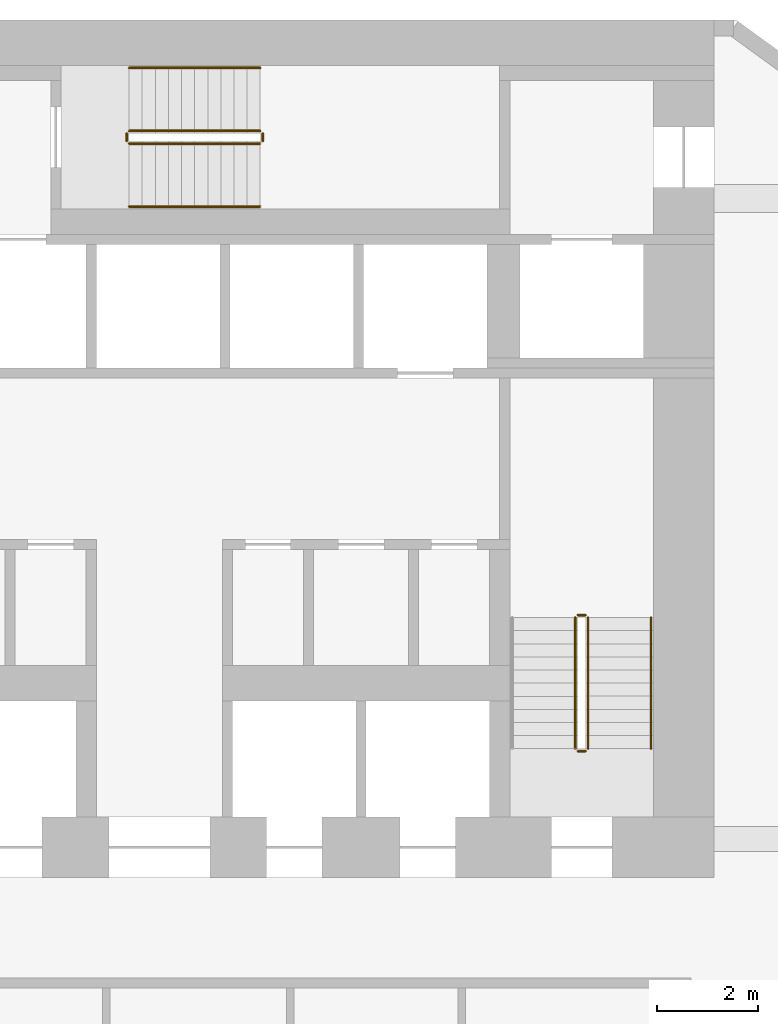
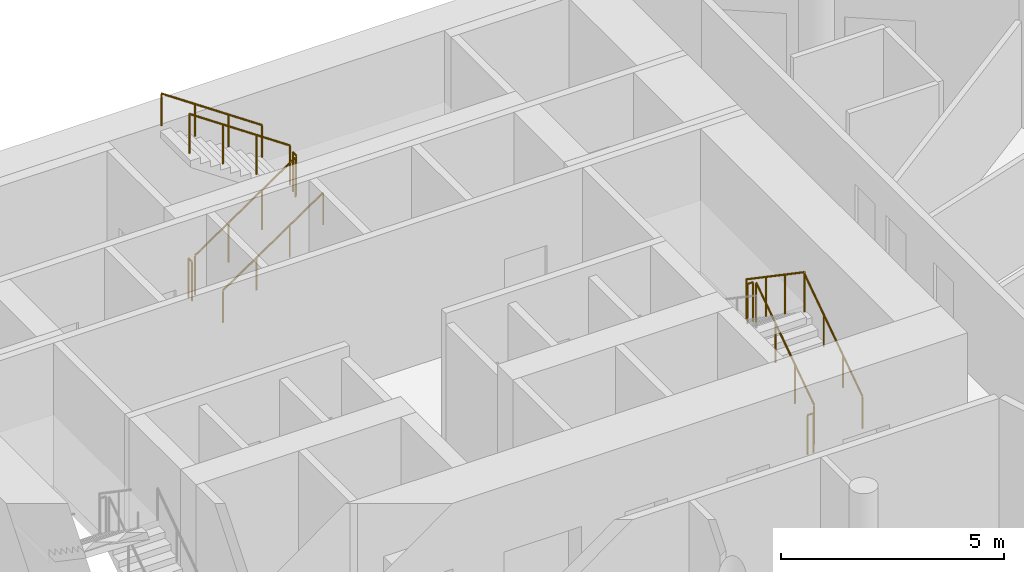
# One storey, part 9 of 9: 11 railings.
"""IFC4 building model written with IfcOpenShell, lengths in metres."""

from ifc_helpers import new_model, si_unit, direction, frame, origin, origin_2d, place, context, subcontext, project, spatial, circle, extrude, material, type_object, element, save


model = new_model("IFC4")

# Units and contexts
model_context = context("Model", 3, precision=1e-05, world=origin(), true_north=direction((0.0, 1.0)))
body_context = subcontext(model_context, "Body", "Model", "MODEL_VIEW")
ifc_project = project(units=[si_unit("LENGTHUNIT", "METRE"), si_unit("AREAUNIT", "SQUARE_METRE"), si_unit("VOLUMEUNIT", "CUBIC_METRE"), si_unit("PLANEANGLEUNIT", "RADIAN"), si_unit("MASSUNIT", "GRAM", prefix="KILO")], contexts=[model_context])

# Site, building, storey
site_placement = place(None, origin())
site = spatial("IfcSite", under=ifc_project, at=site_placement, CompositionType="ELEMENT")
building_placement = place(site_placement, origin())
building = spatial("IfcBuilding", under=site, at=building_placement, Name="White Candle Pilgrim Tower", CompositionType="ELEMENT")
storey_placement = place(building_placement, frame((0.0, 0.0, 81.89990234375)))
storey = spatial("IfcBuildingStorey", under=building, at=storey_placement, Name="L17", CompositionType="ELEMENT", Elevation=81.89990234375)

# Railings
ifc_material = material(Name="Stainless steel", Category="steel")
railing_type_1 = type_object("IfcRailingType", Name="Stair guard stainless steel 1100 mm", PredefinedType="GUARDRAIL", material=ifc_material)
railing_1_placement = place(storey_placement, frame((78.5, 73.550048828125, 0.177490234375)))
element("IfcRailing", 1, at=railing_1_placement, inside=storey, type_object=railing_type_1, Name="L17 ST2 stair guard 1", PredefinedType="GUARDRAIL", context=body_context, shape_type="SweptSolid", body=[
    extrude(circle(Radius=0.02392578125, at=origin_2d()), frame((0.0, 0.0, 1.076171875), z_axis=(0.0, 0.826215852431, 0.563353676824), x_axis=(-1.0, 0.0, 0.0)), (0.0, 0.0, 1.0), 3.146728515625),
    extrude(circle(Radius=0.02099609375, at=origin_2d()), origin(), (0.0, 0.0, 1.0), 1.052001953125),
    extrude(circle(Radius=0.02099609375, at=origin_2d()), frame((0.0, 0.86669921875, 0.5908203125)), (0.0, 0.0, 1.0), 1.052001953125),
    extrude(circle(Radius=0.02099609375, at=origin_2d()), frame((0.0, 1.733154296875, 1.181884765625)), (0.0, 0.0, 1.0), 1.052001953125),
    extrude(circle(Radius=0.02099609375, at=origin_2d()), frame((0.0, 2.599853515625, 1.772705078125)), (0.0, 0.0, 1.0), 1.052001953125),
])
railing_2_placement = place(storey_placement, frame((78.449951171875, 76.199951171875, 1.9501953125)))
element("IfcRailing", 2, at=railing_2_placement, inside=storey, type_object=railing_type_1, Name="L17 ST2 stair guard 2", PredefinedType="GUARDRAIL", context=body_context, shape_type="SweptSolid", body=[
    extrude(circle(Radius=0.02392578125, at=origin_2d()), frame((0.0, 0.0, 1.076171875), z_axis=(-1.0, 0.0, 0.0), x_axis=(0.0, -1.0, 0.0)), (0.0, 0.0, 1.0), 0.14990234375),
    extrude(circle(Radius=0.02099609375, at=origin_2d()), origin(), (0.0, 0.0, 1.0), 1.052001953125),
    extrude(circle(Radius=0.02099609375, at=origin_2d()), frame((-0.14990234375, 0.0, 0.0)), (0.0, 0.0, 1.0), 1.052001953125),
])
railing_3_placement = place(storey_placement, frame((78.25, 76.14990234375, 2.12744140625)))
element("IfcRailing", 3, at=railing_3_placement, inside=storey, type_object=railing_type_1, Name="L17 ST2 stair guard 3", PredefinedType="GUARDRAIL", context=body_context, shape_type="SweptSolid", body=[
    extrude(circle(Radius=0.02392578125, at=origin_2d()), frame((0.0, 0.0, 1.076171875), z_axis=(0.0, -0.826215852431, 0.563353676824), x_axis=(1.0, 0.0, 0.0)), (0.0, 0.0, 1.0), 3.146728515625),
    extrude(circle(Radius=0.02099609375, at=origin_2d()), origin(), (0.0, 0.0, 1.0), 1.052001953125),
    extrude(circle(Radius=0.02099609375, at=origin_2d()), frame((0.0, -0.86669921875, 0.5908203125)), (0.0, 0.0, 1.0), 1.052001953125),
    extrude(circle(Radius=0.02099609375, at=origin_2d()), frame((0.0, -1.733154296875, 1.181884765625)), (0.0, 0.0, 1.0), 1.052001953125),
    extrude(circle(Radius=0.02099609375, at=origin_2d()), frame((0.0, -2.599853515625, 1.772705078125)), (0.0, 0.0, 1.0), 1.052001953125),
])
railing_4_placement = place(storey_placement, frame((78.449951171875, 73.5, 0.0)))
element("IfcRailing", 4, at=railing_4_placement, inside=storey, type_object=railing_type_1, Name="L17 ST2 stair guard 4", PredefinedType="GUARDRAIL", context=body_context, shape_type="SweptSolid", body=[
    extrude(circle(Radius=0.02392578125, at=origin_2d()), frame((0.0, 0.0, 1.076171875), z_axis=(-1.0, 0.0, 0.0), x_axis=(0.0, -1.0, 0.0)), (0.0, 0.0, 1.0), 0.14990234375),
    extrude(circle(Radius=0.02099609375, at=origin_2d()), origin(), (0.0, 0.0, 1.0), 1.052001953125),
    extrude(circle(Radius=0.02099609375, at=origin_2d()), frame((-0.14990234375, 0.0, 0.0)), (0.0, 0.0, 1.0), 1.052001953125),
])
railing_5_placement = place(storey_placement, frame((69.39990234375, 85.550048828125, 0.177490234375)))
element("IfcRailing", 5, at=railing_5_placement, inside=storey, type_object=railing_type_1, Name="L17 ST3 stair guard 1", PredefinedType="GUARDRAIL", context=body_context, shape_type="SweptSolid", body=[
    extrude(circle(Radius=0.02392578125, at=origin_2d()), frame((0.0, 0.0, 1.076171875), z_axis=(0.826240473404, 0.0, 0.563317565952), x_axis=(0.0, 1.0, 0.0)), (0.0, 0.0, 1.0), 3.14697265625),
    extrude(circle(Radius=0.02099609375, at=origin_2d()), origin(), (0.0, 0.0, 1.0), 1.052001953125),
    extrude(circle(Radius=0.02099609375, at=origin_2d()), frame((0.86669921875, 0.0, 0.5908203125)), (0.0, 0.0, 1.0), 1.052001953125),
    extrude(circle(Radius=0.02099609375, at=origin_2d()), frame((1.7333984375, 0.0, 1.181884765625)), (0.0, 0.0, 1.0), 1.052001953125),
    extrude(circle(Radius=0.02099609375, at=origin_2d()), frame((2.60009765625, 0.0, 1.772705078125)), (0.0, 0.0, 1.0), 1.052001953125),
])
railing_6_placement = place(storey_placement, frame((72.050048828125, 85.60009765625, 1.9501953125)))
element("IfcRailing", 6, at=railing_6_placement, inside=storey, type_object=railing_type_1, Name="L17 ST3 stair guard 2", PredefinedType="GUARDRAIL", context=body_context, shape_type="SweptSolid", body=[
    extrude(circle(Radius=0.02392578125, at=origin_2d()), frame((0.0, 0.0, 1.076171875), z_axis=(0.0, 1.0, 0.0), x_axis=(-1.0, 0.0, 0.0)), (0.0, 0.0, 1.0), 0.14990234375),
    extrude(circle(Radius=0.02099609375, at=origin_2d()), origin(), (0.0, 0.0, 1.0), 1.052001953125),
    extrude(circle(Radius=0.02099609375, at=origin_2d()), frame((0.0, 0.14990234375, 0.0)), (0.0, 0.0, 1.0), 1.052001953125),
])
railing_7_placement = place(storey_placement, frame((72.0, 85.800048828125, 2.12744140625)))
element("IfcRailing", 7, at=railing_7_placement, inside=storey, type_object=railing_type_1, Name="L17 ST3 stair guard 3", PredefinedType="GUARDRAIL", context=body_context, shape_type="SweptSolid", body=[
    extrude(circle(Radius=0.02392578125, at=origin_2d()), frame((0.0, 0.0, 1.076171875), z_axis=(-0.826240473404, 0.0, 0.563317565952), x_axis=(0.0, -1.0, 0.0)), (0.0, 0.0, 1.0), 3.14697265625),
    extrude(circle(Radius=0.02099609375, at=origin_2d()), origin(), (0.0, 0.0, 1.0), 1.052001953125),
    extrude(circle(Radius=0.02099609375, at=origin_2d()), frame((-0.86669921875, 0.0, 0.5908203125)), (0.0, 0.0, 1.0), 1.052001953125),
    extrude(circle(Radius=0.02099609375, at=origin_2d()), frame((-1.7333984375, 0.0, 1.181884765625)), (0.0, 0.0, 1.0), 1.052001953125),
    extrude(circle(Radius=0.02099609375, at=origin_2d()), frame((-2.60009765625, 0.0, 1.772705078125)), (0.0, 0.0, 1.0), 1.052001953125),
])
railing_8_placement = place(storey_placement, frame((69.35009765625, 85.60009765625, 0.0)))
element("IfcRailing", 8, at=railing_8_placement, inside=storey, type_object=railing_type_1, Name="L17 ST3 stair guard 4", PredefinedType="GUARDRAIL", context=body_context, shape_type="SweptSolid", body=[
    extrude(circle(Radius=0.02392578125, at=origin_2d()), frame((0.0, 0.0, 1.076171875), z_axis=(0.0, 1.0, 0.0), x_axis=(-1.0, 0.0, 0.0)), (0.0, 0.0, 1.0), 0.14990234375),
    extrude(circle(Radius=0.02099609375, at=origin_2d()), origin(), (0.0, 0.0, 1.0), 1.052001953125),
    extrude(circle(Radius=0.02099609375, at=origin_2d()), frame((0.0, 0.14990234375, 0.0)), (0.0, 0.0, 1.0), 1.052001953125),
])
railing_type_2 = type_object("IfcRailingType", Name="Stair handrail stainless steel", PredefinedType="HANDRAIL", material=ifc_material)
railing_9_placement = place(storey_placement, frame((79.75, 73.550048828125, 0.177490234375)))
element("IfcRailing", 9, at=railing_9_placement, inside=storey, type_object=railing_type_2, Name="L17 ST2 stair handrail 1", PredefinedType="HANDRAIL", context=body_context, shape_type="SweptSolid", body=[
    extrude(circle(Radius=0.02392578125, at=origin_2d()), frame((0.0, 0.0, 0.8759765625), z_axis=(0.0, 0.826215852431, 0.563353676824), x_axis=(-1.0, 0.0, 0.0)), (0.0, 0.0, 1.0), 3.146728515625),
    extrude(circle(Radius=0.02099609375, at=origin_2d()), origin(), (0.0, 0.0, 1.0), 0.851806640625),
    extrude(circle(Radius=0.02099609375, at=origin_2d()), frame((0.0, 0.86669921875, 0.5908203125)), (0.0, 0.0, 1.0), 0.851806640625),
    extrude(circle(Radius=0.02099609375, at=origin_2d()), frame((0.0, 1.733154296875, 1.181884765625)), (0.0, 0.0, 1.0), 0.851806640625),
    extrude(circle(Radius=0.02099609375, at=origin_2d()), frame((0.0, 2.599853515625, 1.772705078125)), (0.0, 0.0, 1.0), 0.851806640625),
])
railing_10_placement = place(storey_placement, frame((69.39990234375, 84.300048828125, 0.177490234375)))
element("IfcRailing", 10, at=railing_10_placement, inside=storey, type_object=railing_type_2, Name="L17 ST3 stair handrail 1", PredefinedType="HANDRAIL", context=body_context, shape_type="SweptSolid", body=[
    extrude(circle(Radius=0.02392578125, at=origin_2d()), frame((0.0, 0.0, 0.8759765625), z_axis=(0.826240473404, 0.0, 0.563317565952), x_axis=(0.0, 1.0, 0.0)), (0.0, 0.0, 1.0), 3.14697265625),
    extrude(circle(Radius=0.02099609375, at=origin_2d()), origin(), (0.0, 0.0, 1.0), 0.851806640625),
    extrude(circle(Radius=0.02099609375, at=origin_2d()), frame((0.86669921875, 0.0, 0.5908203125)), (0.0, 0.0, 1.0), 0.851806640625),
    extrude(circle(Radius=0.02099609375, at=origin_2d()), frame((1.7333984375, 0.0, 1.181884765625)), (0.0, 0.0, 1.0), 0.851806640625),
    extrude(circle(Radius=0.02099609375, at=origin_2d()), frame((2.60009765625, 0.0, 1.772705078125)), (0.0, 0.0, 1.0), 0.851806640625),
])
railing_11_placement = place(storey_placement, frame((72.0, 87.050048828125, 2.12744140625)))
element("IfcRailing", 11, at=railing_11_placement, inside=storey, type_object=railing_type_2, Name="L17 ST3 stair handrail 2", PredefinedType="HANDRAIL", context=body_context, shape_type="SweptSolid", body=[
    extrude(circle(Radius=0.02392578125, at=origin_2d()), frame((0.0, 0.0, 0.8759765625), z_axis=(-0.826240473404, 0.0, 0.563317565952), x_axis=(0.0, -1.0, 0.0)), (0.0, 0.0, 1.0), 3.14697265625),
    extrude(circle(Radius=0.02099609375, at=origin_2d()), origin(), (0.0, 0.0, 1.0), 0.851806640625),
    extrude(circle(Radius=0.02099609375, at=origin_2d()), frame((-0.86669921875, 0.0, 0.5908203125)), (0.0, 0.0, 1.0), 0.851806640625),
    extrude(circle(Radius=0.02099609375, at=origin_2d()), frame((-1.7333984375, 0.0, 1.181884765625)), (0.0, 0.0, 1.0), 0.851806640625),
    extrude(circle(Radius=0.02099609375, at=origin_2d()), frame((-2.60009765625, 0.0, 1.772705078125)), (0.0, 0.0, 1.0), 0.851806640625),
])

save(model, "model.ifc")
